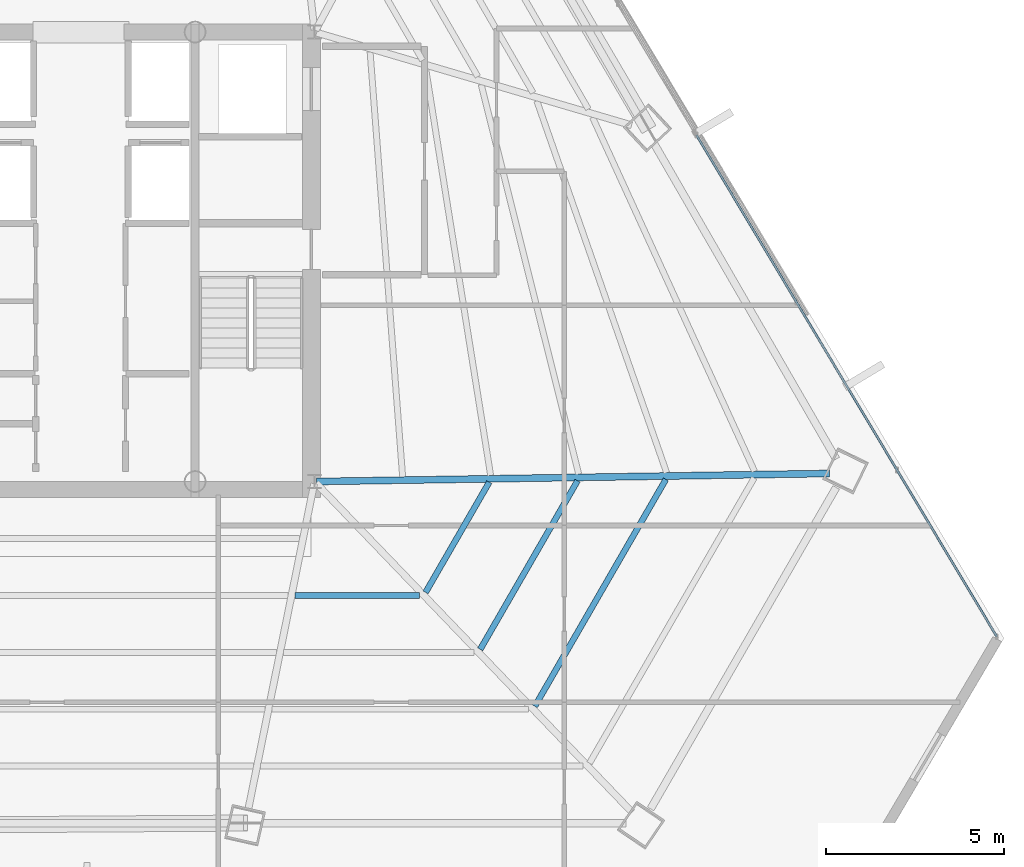
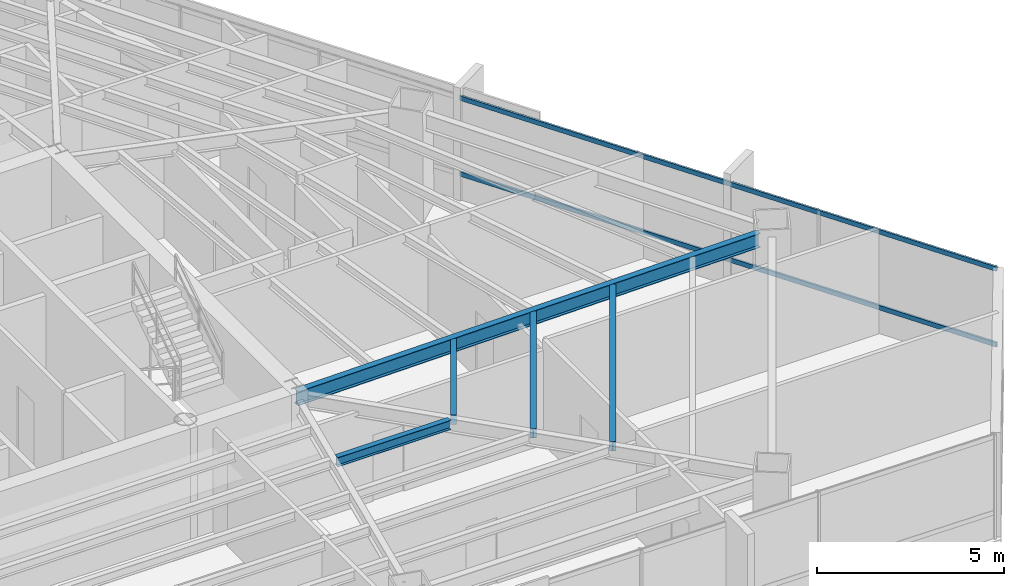
# One storey, part 19 of 40: 5 beams, 2 members, 1 element without a shape of its own.
"""IFC4 building model written with IfcOpenShell, lengths in metres."""

from ifc_helpers import new_model, si_unit, direction, frame, origin, origin_2d, place, context, subcontext, project, spatial, hollow_rectangle, i_section, extrude, source, transform, mapped, material, material_profile, profile_set, type_object, type_shapes, element, aggregate, save


model = new_model("IFC4")

# Units and contexts
model_context = context("Model", 3, precision=1e-05, world=origin(), true_north=direction((0.0, 1.0)))
body_context = subcontext(model_context, "Body", "Model", "MODEL_VIEW")
ifc_project = project(units=[si_unit("LENGTHUNIT", "METRE"), si_unit("AREAUNIT", "SQUARE_METRE"), si_unit("VOLUMEUNIT", "CUBIC_METRE"), si_unit("PLANEANGLEUNIT", "RADIAN"), si_unit("MASSUNIT", "GRAM", prefix="KILO")], contexts=[model_context])

# Site, building, storey
site_placement = place(None, origin())
site = spatial("IfcSite", under=ifc_project, at=site_placement, CompositionType="ELEMENT")
building_placement = place(site_placement, origin())
building = spatial("IfcBuilding", under=site, at=building_placement, Name="Caelisora Broadcast Tower", CompositionType="ELEMENT")
storey_placement = place(building_placement, frame((0.0, 0.0, 176.75)))
storey = spatial("IfcBuildingStorey", under=building, at=storey_placement, Name="L46", CompositionType="ELEMENT", Elevation=176.75)

# Beams
ifc_material_1 = material(Name="Steel Grade 350 (AS/NZS 3679.1)", Category="steel")
ifc_material_profile_1 = material_profile(ifc_material_1, i_section(OverallWidth=0.19091796875, OverallDepth=0.46044921875, WebThickness=0.010009765625, FlangeThickness=0.01611328125, at=origin_2d()), Name="Steel Grade 350 (AS/NZS 3679.1)")
ifc_profile_set_1 = profile_set([ifc_material_profile_1], Name="Steel Grade 350 (AS/NZS 3679.1)")
beam_type_1 = type_object("IfcBeamType", Name="PG06", PredefinedType="BEAM", material=ifc_profile_set_1)
shared_shape_1 = source(origin(), body_context, "Body", "SweptSolid", [
    extrude(i_section(OverallWidth=0.19091796875, OverallDepth=0.46044921875, WebThickness=0.010009765625, FlangeThickness=0.01611328125, at=origin_2d()), origin(), (0.0, 0.0, 1.0), 14.37353515625),
])
type_shapes(beam_type_1, [shared_shape_1])
beam_1_placement = place(storey_placement, frame((45.56005859375, 17.40087890625, 3.169921875), z_axis=(0.999877366776, 0.015660504734, 0.0), x_axis=(-0.015660504734, 0.999877366776, 0.0)))
element("IfcBeam", 1, at=beam_1_placement, inside=storey, type_object=beam_type_1, Name="L46 beam PG06", PredefinedType="BEAM", context=body_context, shape_type="MappedRepresentation", body=[
    mapped(shared_shape_1, transform((0.0, 0.0, 0.0), scale=1.0)),
])
ifc_material_profile_2 = material_profile(ifc_material_1, i_section(OverallWidth=0.166015625, OverallDepth=0.30712890625, WebThickness=0.006591796875, FlangeThickness=0.01171875, at=origin_2d()), Name="Steel Grade 350 (AS/NZS 3679.1)")
ifc_profile_set_2 = profile_set([ifc_material_profile_2], Name="Steel Grade 350 (AS/NZS 3679.1)")
beam_type_2 = type_object("IfcBeamType", Name="SB03", PredefinedType="JOIST", material=ifc_profile_set_2)
shared_shape_2 = source(origin(), body_context, "Body", "SweptSolid", [
    extrude(i_section(OverallWidth=0.166015625, OverallDepth=0.30712890625, WebThickness=0.006591796875, FlangeThickness=0.01171875, at=origin_2d()), origin(), (0.0, 0.0, 1.0), 3.569580078125),
])
beam_2_placement = place(storey_placement, frame((48.611572265625, 14.29248046875, 3.246337890625), z_axis=(0.500030309877, 0.866007903661, 0.0), x_axis=(-0.866007903661, 0.500030309877, 0.0)))
element("IfcBeam", 2, at=beam_2_placement, inside=storey, type_object=beam_type_2, Name="L46 beam SB03", PredefinedType="JOIST", context=body_context, shape_type="MappedRepresentation", body=[
    mapped(shared_shape_2, transform((0.0, 0.0, 0.0), scale=1.0)),
])
shared_shape_3 = source(origin(), body_context, "Body", "SweptSolid", [
    extrude(i_section(OverallWidth=0.166015625, OverallDepth=0.30712890625, WebThickness=0.006591796875, FlangeThickness=0.01171875, at=origin_2d()), origin(), (0.0, 0.0, 1.0), 5.456787109375),
])
beam_3_placement = place(storey_placement, frame((50.143310546875, 12.69677734375, 3.246337890625), z_axis=(0.499974190348, 0.866040304481, 0.0), x_axis=(-0.866040304481, 0.499974190348, 0.0)))
element("IfcBeam", 3, at=beam_3_placement, inside=storey, type_object=beam_type_2, Name="L46 beam SB03", PredefinedType="JOIST", context=body_context, shape_type="MappedRepresentation", body=[
    mapped(shared_shape_3, transform((0.0, 0.0, 0.0), scale=1.0)),
])
shared_shape_4 = source(origin(), body_context, "Body", "SweptSolid", [
    extrude(i_section(OverallWidth=0.166015625, OverallDepth=0.30712890625, WebThickness=0.006591796875, FlangeThickness=0.01171875, at=origin_2d()), origin(), (0.0, 0.0, 1.0), 7.34375),
])
beam_4_placement = place(storey_placement, frame((51.675048828125, 11.101318359375, 3.246337890625), z_axis=(0.500000635496, 0.86602503688, 0.0), x_axis=(-0.86602503688, 0.500000635496, 0.0)))
element("IfcBeam", 4, at=beam_4_placement, inside=storey, type_object=beam_type_2, Name="L46 beam SB03", PredefinedType="JOIST", context=body_context, shape_type="MappedRepresentation", body=[
    mapped(shared_shape_4, transform((0.0, 0.0, 0.0), scale=1.0)),
])
shared_shape_5 = source(origin(), body_context, "Body", "SweptSolid", [
    extrude(i_section(OverallWidth=0.166015625, OverallDepth=0.30712890625, WebThickness=0.006591796875, FlangeThickness=0.01171875, at=origin_2d()), origin(), (0.0, 0.0, 1.0), 3.485107421875),
])
type_shapes(beam_type_2, [shared_shape_2, shared_shape_3, shared_shape_4, shared_shape_5])
beam_5_placement = place(storey_placement, frame((44.948974609375, 14.208984375, 3.246337890625), z_axis=(1.0, 0.0, 0.0), x_axis=(0.0, 1.0, 0.0)))
element("IfcBeam", 5, at=beam_5_placement, inside=storey, type_object=beam_type_2, Name="L46 beam SB03", PredefinedType="JOIST", context=body_context, shape_type="MappedRepresentation", body=[
    mapped(shared_shape_5, transform((0.0, 0.0, 0.0), scale=1.0)),
])

# Curtain wall, members
ifc_material_2 = material(Name="Unitised Aluminium and Low-E Glass Curtain Wall", Category="glass")
curtain_wall_type = type_object("IfcCurtainWallType", Name="CW-Z3", PredefinedType="NOTDEFINED", material=ifc_material_2)
curtain_wall_placement = place(storey_placement, origin())
curtain_wall = element("IfcCurtainWall", 6, at=curtain_wall_placement, inside=storey, type_object=curtain_wall_type, Name="L46 curtain wall CW-Z3", PredefinedType="NOTDEFINED")
ifc_material_3 = material(Name="Aluminium 6063-T6 Anodised Terracotta Bronze", Category="aluminium")
ifc_material_profile_3 = material_profile(ifc_material_3, hollow_rectangle(XDim=0.06005859375, YDim=0.14990234375, WallThickness=0.00341796875, at=origin_2d()), Name="Aluminium 6063-T6 Anodised Terracotta Bronze")
ifc_profile_set_3 = profile_set([ifc_material_profile_3], Name="Aluminium 6063-T6 Anodised Terracotta Bronze")
member_type = type_object("IfcMemberType", Name="CWT-02", PredefinedType="USERDEFINED", material=ifc_profile_set_3)
shared_shape_6 = source(origin(), body_context, "Body", "SweptSolid", [
    extrude(hollow_rectangle(XDim=0.06005859375, YDim=0.14990234375, WallThickness=0.00341796875, at=origin_2d()), origin(), (0.0, 0.0, 1.0), 16.388427734375),
])
type_shapes(member_type, [shared_shape_6])
member_1_placement = place(storey_placement, frame((56.20654296875, 27.110107421875, 0.85009765625), z_axis=(0.513755091825, -0.857936889068, 0.0), x_axis=(0.857936889068, 0.513755091825, 0.0)))
member_1 = element("IfcMember", 7, at=member_1_placement, type_object=member_type, Name="L46-CW-B03 transom #1", ObjectType="TRANSOM", PredefinedType="USERDEFINED", context=body_context, shape_type="MappedRepresentation", body=[
    mapped(shared_shape_6, transform((0.0, 0.0, 0.0), scale=1.0)),
])
member_2_placement = place(storey_placement, frame((56.20654296875, 27.110107421875, 3.320068359375), z_axis=(0.513755091825, -0.857936889068, 0.0), x_axis=(0.857936889068, 0.513755091825, 0.0)))
member_2 = element("IfcMember", 8, at=member_2_placement, type_object=member_type, Name="L46-CW-B03 transom #2", ObjectType="TRANSOM", PredefinedType="USERDEFINED", context=body_context, shape_type="MappedRepresentation", body=[
    mapped(shared_shape_6, transform((0.0, 0.0, 0.0), scale=1.0)),
])
aggregate(curtain_wall, [member_1, member_2])

save(model, "model.ifc")
